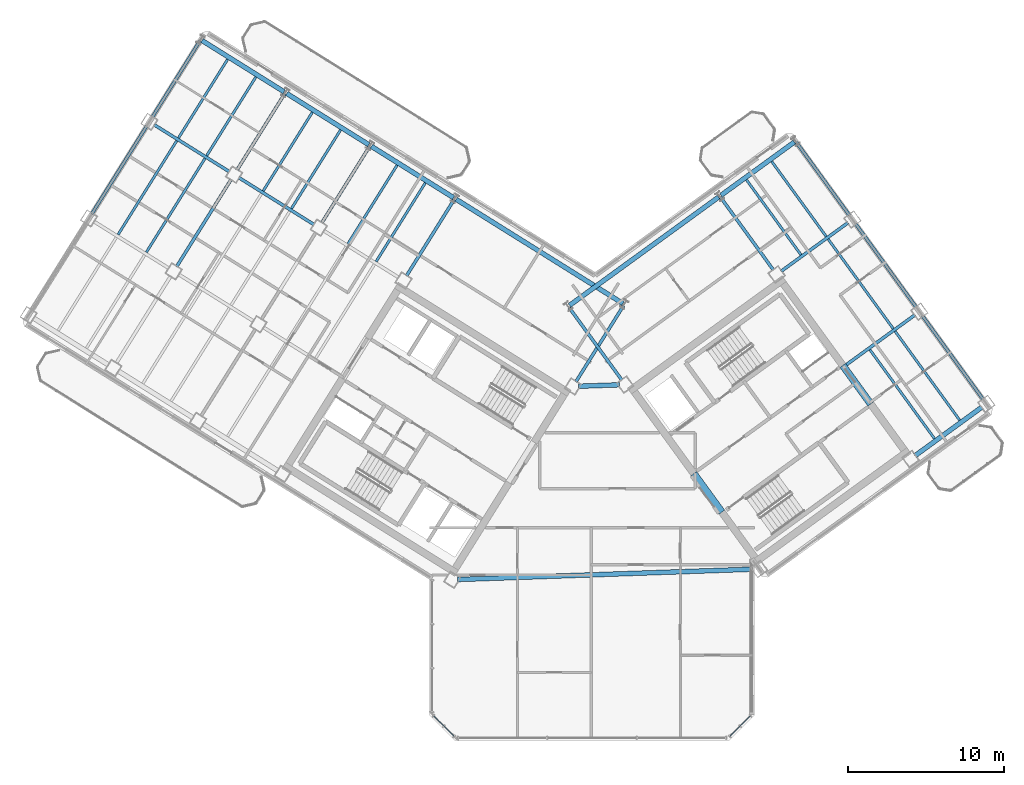
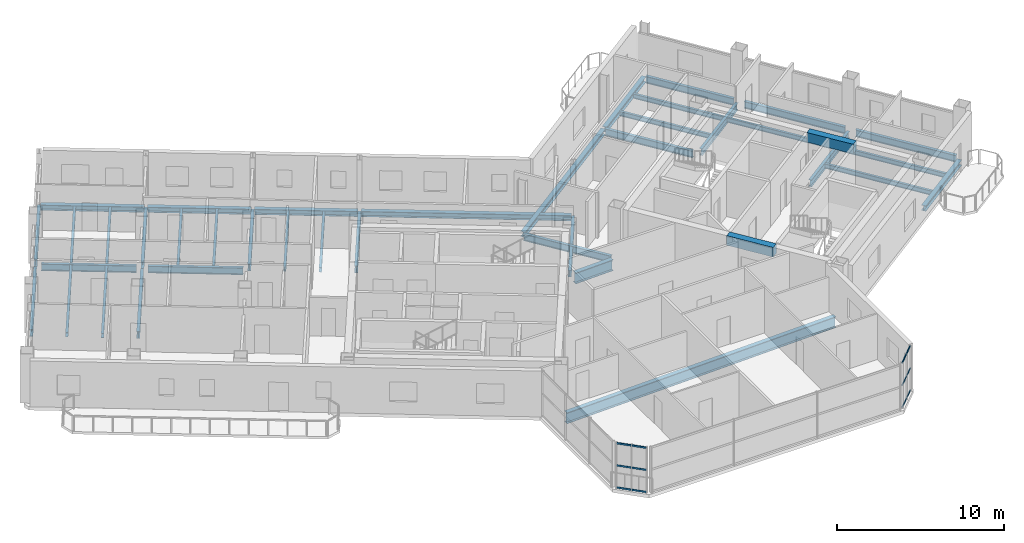
# One storey, part 7 of 21: 40 beams, 12 members, 2 elements without a shape of their own.
"""IFC4 building model written with IfcOpenShell, lengths in metres."""

from ifc_helpers import new_model, si_unit, direction, frame, origin, origin_2d, place, context, subcontext, project, spatial, rectangle, hollow_rectangle, i_section, extrude, source, transform, mapped, material, material_profile, profile_set, type_object, element, aggregate, save


model = new_model("IFC4")

# Units and contexts
model_context = context("Model", 3, precision=1e-05, world=origin(), true_north=direction((0.0, 1.0)))
body_context = subcontext(model_context, "Body", "Model", "MODEL_VIEW")
ifc_project = project(units=[si_unit("LENGTHUNIT", "METRE"), si_unit("AREAUNIT", "SQUARE_METRE"), si_unit("VOLUMEUNIT", "CUBIC_METRE"), si_unit("PLANEANGLEUNIT", "RADIAN"), si_unit("MASSUNIT", "GRAM", prefix="KILO")], contexts=[model_context])

# Site, building, storey
site_placement = place(None, origin())
site = spatial("IfcSite", under=ifc_project, at=site_placement, CompositionType="ELEMENT")
building_placement = place(site_placement, origin())
building = spatial("IfcBuilding", under=site, at=building_placement, Name="Tlacorven Tower", CompositionType="ELEMENT")
storey_placement = place(building_placement, frame((0.0, 0.0, 222.0)))
storey = spatial("IfcBuildingStorey", under=building, at=storey_placement, Name="L56", CompositionType="ELEMENT", Elevation=222.0)

# Beams
ifc_material_1 = material(Name="Concrete C60/75", Category="concrete")
ifc_material_profile_1 = material_profile(ifc_material_1, rectangle(XDim=0.449951171875, YDim=0.699951171875, at=origin_2d()), Name="RC 450X700")
ifc_profile_set_1 = profile_set([ifc_material_profile_1], Name="Concrete C60/75")
beam_type_1 = type_object("IfcBeamType", Name="BM-LNT-700", PredefinedType="LINTEL", material=ifc_profile_set_1)
shared_shape_1 = source(origin(), body_context, "Body", "SweptSolid", [
    extrude(rectangle(XDim=0.449951171875, YDim=0.699951171875, at=origin_2d()), origin(), (0.0, 0.0, 1.0), 3.050048828125),
])
for number, where, z_axis, x_axis, name in (
    (1, (50.318359375, 16.416015625, 3.0), (-0.587776590479, 0.80902328748, 0.0), (-0.80902328748, -0.587776590479, 0.0), "L56 E core coupling lintel beam E1"),
    (2, (59.856689453125, 23.345947265625, 3.0), (-0.587776590479, 0.80902328748, 0.0), (-0.80902328748, -0.587776590479, 0.0), "L56 E core coupling lintel beam E2"),
):
    element("IfcBeam", number, at=place(storey_placement, frame(where, z_axis=z_axis, x_axis=x_axis)), inside=storey, type_object=beam_type_1, Name=name, PredefinedType="LINTEL", context=body_context, shape_type="MappedRepresentation", body=[
        mapped(shared_shape_1, transform((0.0, 0.0, 0.0), scale=1.0)),
    ])
ifc_material_2 = material(Name="Steel S355J2", Category="steel")
ifc_material_profile_2 = material_profile(ifc_material_2, i_section(OverallWidth=0.300048828125, OverallDepth=0.800048828125, WebThickness=0.017578125, FlangeThickness=0.032958984375, at=origin_2d()), Name="HEB 800")
ifc_profile_set_2 = profile_set([ifc_material_profile_2], Name="Steel S355J2")
beam_type_2 = type_object("IfcBeamType", Name="BM-POD-800", PredefinedType="BEAM", material=ifc_profile_set_2)
shared_shape_2 = source(origin(), body_context, "Body", "SweptSolid", [
    extrude(i_section(OverallWidth=0.300048828125, OverallDepth=0.800048828125, WebThickness=0.017578125, FlangeThickness=0.032958984375, at=origin_2d()), origin(), (0.0, 0.0, 1.0), 2.642822265625),
])
beam_1_placement = place(storey_placement, frame((41.1328125, 24.480712890625, -0.64990234375), z_axis=(0.999393314814, 0.034828182629, 0.0), x_axis=(-0.034828182629, 0.999393314814, 0.0)))
element("IfcBeam", 3, at=beam_1_placement, inside=storey, type_object=beam_type_2, Name="L56 Knuckle Link Girder 1", PredefinedType="BEAM", context=body_context, shape_type="MappedRepresentation", body=[
    mapped(shared_shape_2, transform((0.0, 0.0, 0.0), scale=1.0)),
])
ifc_material_profile_3 = material_profile(ifc_material_2, i_section(OverallWidth=0.199951171875, OverallDepth=0.5, WebThickness=0.01025390625, FlangeThickness=0.01611328125, at=origin_2d()), Name="IPE 500")
ifc_profile_set_3 = profile_set([ifc_material_profile_3], Name="Steel S355J2")
beam_type_3 = type_object("IfcBeamType", Name="BM-TWR-500", PredefinedType="BEAM", material=ifc_profile_set_3)
shared_shape_3 = source(origin(), body_context, "Body", "SweptSolid", [
    extrude(i_section(OverallWidth=0.199951171875, OverallDepth=0.5, WebThickness=0.01025390625, FlangeThickness=0.01611328125, at=origin_2d()), origin(), (0.0, 0.0, 1.0), 5.7001953125),
])
for number, where, z_axis, x_axis, name in (
    (4, (24.20361328125, 34.828369140625, -0.5), (-0.848056048787, 0.529906537151, 0.0), (-0.529906537151, -0.848056048787, 0.0), "L56 beam BM-L56-WL2-4"),
    (5, (18.776123046875, 38.2197265625, -0.5), (-0.848056048787, 0.529906537151, 0.0), (-0.529906537151, -0.848056048787, 0.0), "L56 beam BM-L56-WL2-5"),
):
    element("IfcBeam", number, at=place(storey_placement, frame(where, z_axis=z_axis, x_axis=x_axis)), inside=storey, type_object=beam_type_3, Name=name, PredefinedType="BEAM", context=body_context, shape_type="MappedRepresentation", body=[
        mapped(shared_shape_3, transform((0.0, 0.0, 0.0), scale=1.0)),
    ])
shared_shape_4 = source(origin(), body_context, "Body", "SweptSolid", [
    extrude(i_section(OverallWidth=0.199951171875, OverallDepth=0.5, WebThickness=0.01025390625, FlangeThickness=0.01611328125, at=origin_2d()), origin(), (0.0, 0.0, 1.0), 5.75),
])
for number, where, z_axis, x_axis, name in (
    (6, (44.015380859375, 29.6416015625, -0.5), (-0.529884439831, -0.848069855864, 0.0), (0.848069855864, -0.529884439831, 0.0), "L56 beam BM-L56-WT1-1"),
    (7, (33.160400390625, 36.424560546875, -0.5), (-0.529884439831, -0.848069855864, 0.0), (0.848069855864, -0.529884439831, 0.0), "L56 beam BM-L56-WT3-1"),
    (8, (27.73291015625, 39.81591796875, -0.5), (-0.529934056882, -0.848038852504, 0.0), (0.848038852504, -0.529934056882, 0.0), "L56 beam BM-L56-WT4-1"),
    (9, (16.8779296875, 46.598876953125, -0.5), (-0.529934056882, -0.848038852504, 0.0), (0.848038852504, -0.529934056882, 0.0), "L56 beam BM-L56-WT6-1"),
    (10, (43.91796875, 24.8681640625, -0.5), (-0.587770208527, 0.809027924097, 0.0), (-0.809027924097, -0.587770208527, 0.0), "L56 beam BM-L56-ET1-2"),
    (11, (53.626220703125, 31.921630859375, -0.5), (-0.587770208527, 0.809027924097, 0.0), (-0.809027924097, -0.587770208527, 0.0), "L56 beam BM-L56-ET3-2"),
    (12, (58.480224609375, 35.4482421875, -0.5), (-0.587770208527, 0.809027924097, 0.0), (-0.809027924097, -0.587770208527, 0.0), "L56 beam BM-L56-ET4-3"),
):
    element("IfcBeam", number, at=place(storey_placement, frame(where, z_axis=z_axis, x_axis=x_axis)), inside=storey, type_object=beam_type_3, Name=name, PredefinedType="BEAM", context=body_context, shape_type="MappedRepresentation", body=[
        mapped(shared_shape_4, transform((0.0, 0.0, 0.0), scale=1.0)),
    ])
shared_shape_5 = source(origin(), body_context, "Body", "SweptSolid", [
    extrude(i_section(OverallWidth=0.199951171875, OverallDepth=0.5, WebThickness=0.01025390625, FlangeThickness=0.01611328125, at=origin_2d()), origin(), (0.0, 0.0, 1.0), 6.599853515625),
])
beam_2_placement = place(storey_placement, frame((13.4599609375, 41.12890625, -0.5), z_axis=(-0.529942412256, -0.848033631227, 0.0), x_axis=(0.848033631227, -0.529942412256, 0.0)))
element("IfcBeam", 13, at=beam_2_placement, inside=storey, type_object=beam_type_3, Name="L56 beam BM-L56-WT6-2", PredefinedType="BEAM", context=body_context, shape_type="MappedRepresentation", body=[
    mapped(shared_shape_5, transform((0.0, 0.0, 0.0), scale=1.0)),
])
shared_shape_6 = source(origin(), body_context, "Body", "SweptSolid", [
    extrude(i_section(OverallWidth=0.199951171875, OverallDepth=0.5, WebThickness=0.01025390625, FlangeThickness=0.01611328125, at=origin_2d()), origin(), (0.0, 0.0, 1.0), 6.60009765625),
])
for number, where, z_axis, x_axis, name in (
    (14, (18.887451171875, 37.737548828125, -0.5), (-0.529925788294, -0.848044019436, 0.0), (0.848044019436, -0.529925788294, 0.0), "L56 beam BM-L56-WT5-2"),
    (15, (67.06201171875, 23.63671875, -0.5), (-0.587780128583, 0.809020716943, 0.0), (-0.809020716943, -0.587780128583, 0.0), "L56 beam BM-L56-ET4-1"),
    (16, (62.771240234375, 29.54248046875, -0.5), (-0.587780128583, 0.809020716943, 0.0), (-0.809020716943, -0.587780128583, 0.0), "L56 beam BM-L56-ET4-2"),
):
    element("IfcBeam", number, at=place(storey_placement, frame(where, z_axis=z_axis, x_axis=x_axis)), inside=storey, type_object=beam_type_3, Name=name, PredefinedType="BEAM", context=body_context, shape_type="MappedRepresentation", body=[
        mapped(shared_shape_6, transform((0.0, 0.0, 0.0), scale=1.0)),
    ])
shared_shape_7 = source(origin(), body_context, "Body", "SweptSolid", [
    extrude(i_section(OverallWidth=0.199951171875, OverallDepth=0.5, WebThickness=0.01025390625, FlangeThickness=0.01611328125, at=origin_2d()), origin(), (0.0, 0.0, 1.0), 5.750244140625),
])
beam_3_placement = place(storey_placement, frame((22.305419921875, 43.20751953125, -0.5), z_axis=(-0.529914976044, -0.848050775699, 0.0), x_axis=(0.848050775699, -0.529914976044, 0.0)))
element("IfcBeam", 17, at=beam_3_placement, inside=storey, type_object=beam_type_3, Name="L56 beam BM-L56-WT5-1", PredefinedType="BEAM", context=body_context, shape_type="MappedRepresentation", body=[
    mapped(shared_shape_7, transform((0.0, 0.0, 0.0), scale=1.0)),
])
shared_shape_8 = source(origin(), body_context, "Body", "SweptSolid", [
    extrude(i_section(OverallWidth=0.199951171875, OverallDepth=0.5, WebThickness=0.01025390625, FlangeThickness=0.01611328125, at=origin_2d()), origin(), (0.0, 0.0, 1.0), 5.300048828125),
])
beam_4_placement = place(storey_placement, frame((54.114990234375, 31.84423828125, -0.5), z_axis=(0.809022830186, 0.587777219904, 0.0), x_axis=(-0.587777219904, 0.809022830186, 0.0)))
element("IfcBeam", 18, at=beam_4_placement, inside=storey, type_object=beam_type_3, Name="L56 beam BM-L56-EL3-3", PredefinedType="BEAM", context=body_context, shape_type="MappedRepresentation", body=[
    mapped(shared_shape_8, transform((0.0, 0.0, 0.0), scale=1.0)),
])
shared_shape_9 = source(origin(), body_context, "Body", "SweptSolid", [
    extrude(i_section(OverallWidth=0.199951171875, OverallDepth=0.5, WebThickness=0.01025390625, FlangeThickness=0.01611328125, at=origin_2d()), origin(), (0.0, 0.0, 1.0), 5.6103515625),
])
beam_5_placement = place(storey_placement, frame((58.155029296875, 25.756103515625, -0.5), z_axis=(0.809020142627, 0.587780919071, 0.0), x_axis=(-0.587780919071, 0.809020142627, 0.0)))
element("IfcBeam", 19, at=beam_5_placement, inside=storey, type_object=beam_type_3, Name="L56 beam BM-L56-EL2-3", PredefinedType="BEAM", context=body_context, shape_type="MappedRepresentation", body=[
    mapped(shared_shape_9, transform((0.0, 0.0, 0.0), scale=1.0)),
])
shared_shape_10 = source(origin(), body_context, "Body", "SweptSolid", [
    extrude(i_section(OverallWidth=0.300048828125, OverallDepth=0.800048828125, WebThickness=0.017578125, FlangeThickness=0.032958984375, at=origin_2d()), origin(), (0.0, 0.0, 1.0), 18.97119140625),
])
beam_6_placement = place(storey_placement, frame((33.39599609375, 12.09912109375, -0.64990234375), z_axis=(0.999390787537, 0.034900627304, 0.0), x_axis=(-0.034900627304, 0.999390787537, 0.0)))
element("IfcBeam", 20, at=beam_6_placement, inside=storey, type_object=beam_type_2, Name="L56 Knuckle Link Girder 2", PredefinedType="BEAM", context=body_context, shape_type="MappedRepresentation", body=[
    mapped(shared_shape_10, transform((0.0, 0.0, 0.0), scale=1.0)),
])
ifc_material_profile_4 = material_profile(ifc_material_2, i_section(OverallWidth=0.159912109375, OverallDepth=0.330078125, WebThickness=0.007568359375, FlangeThickness=0.011474609375, at=origin_2d()), Name="IPE 330")
ifc_profile_set_4 = profile_set([ifc_material_profile_4], Name="Steel S355J2")
beam_type_4 = type_object("IfcBeamType", Name="BM-JST-330", PredefinedType="JOIST", material=ifc_profile_set_4)
shared_shape_11 = source(origin(), body_context, "Body", "SweptSolid", [
    extrude(i_section(OverallWidth=0.159912109375, OverallDepth=0.330078125, WebThickness=0.007568359375, FlangeThickness=0.011474609375, at=origin_2d()), origin(), (0.0, 0.0, 1.0), 7.0400390625),
])
beam_7_placement = place(storey_placement, frame((63.9404296875, 21.127685546875, -0.4150390625), z_axis=(-0.587773661987, 0.809025415098, 0.0), x_axis=(-0.809025415098, -0.587773661987, 0.0)))
element("IfcBeam", 21, at=beam_7_placement, inside=storey, type_object=beam_type_4, Name="L56 beam BM-L56-EJ3-1-1", PredefinedType="JOIST", context=body_context, shape_type="MappedRepresentation", body=[
    mapped(shared_shape_11, transform((0.0, 0.0, 0.0), scale=1.0)),
])
shared_shape_12 = source(origin(), body_context, "Body", "SweptSolid", [
    extrude(i_section(OverallWidth=0.159912109375, OverallDepth=0.330078125, WebThickness=0.007568359375, FlangeThickness=0.011474609375, at=origin_2d()), origin(), (0.0, 0.0, 1.0), 5.940185546875),
])
for number, where, z_axis, x_axis, name in (
    (22, (29.512939453125, 38.638916015625, -0.4150390625), (-0.529902882565, -0.848058332339, 0.0), (0.848058332339, -0.529902882565, 0.0), "L56 beam BM-L56-WJ3-1-2"),
    (23, (25.894775390625, 40.899658203125, -0.4150390625), (-0.529950911506, -0.848028319924, 0.0), (0.848028319924, -0.529950911506, 0.0), "L56 beam BM-L56-WJ4-1-1"),
    (24, (18.657958984375, 45.421875, -0.4150390625), (-0.529902882565, -0.848058332339, 0.0), (0.848058332339, -0.529902882565, 0.0), "L56 beam BM-L56-WJ5-1-2"),
    (25, (55.38818359375, 32.89892578125, -0.4150390625), (-0.587778174144, 0.809022136903, 0.0), (-0.809022136903, -0.587778174144, 0.0), "L56 beam BM-L56-EJ3-3-1"),
    (26, (57.00634765625, 34.074462890625, -0.4150390625), (-0.587778174144, 0.809022136903, 0.0), (-0.809022136903, -0.587778174144, 0.0), "L56 beam BM-L56-EJ3-3-2"),
):
    element("IfcBeam", number, at=place(storey_placement, frame(where, z_axis=z_axis, x_axis=x_axis)), inside=storey, type_object=beam_type_4, Name=name, PredefinedType="JOIST", context=body_context, shape_type="MappedRepresentation", body=[
        mapped(shared_shape_12, transform((0.0, 0.0, 0.0), scale=1.0)),
    ])
shared_shape_13 = source(origin(), body_context, "Body", "SweptSolid", [
    extrude(i_section(OverallWidth=0.159912109375, OverallDepth=0.330078125, WebThickness=0.007568359375, FlangeThickness=0.011474609375, at=origin_2d()), origin(), (0.0, 0.0, 1.0), 7.090087890625),
])
for number, where, z_axis, x_axis, name in (
    (27, (17.208251953125, 39.07568359375, -0.4150390625), (-0.529937035031, -0.848036991471, 0.0), (0.848036991471, -0.529937035031, 0.0), "L56 beam BM-L56-WJ5-2-1"),
    (28, (15.39892578125, 40.206298828125, -0.4150390625), (-0.529912270669, -0.84805246618, 0.0), (0.84805246618, -0.529912270669, 0.0), "L56 beam BM-L56-WJ5-2-2"),
    (29, (61.297119140625, 28.168701171875, -0.4150390625), (-0.587782622309, 0.809018905164, 0.0), (-0.809018905164, -0.587782622309, 0.0), "L56 beam BM-L56-EJ3-2-2"),
):
    element("IfcBeam", number, at=place(storey_placement, frame(where, z_axis=z_axis, x_axis=x_axis)), inside=storey, type_object=beam_type_4, Name=name, PredefinedType="JOIST", context=body_context, shape_type="MappedRepresentation", body=[
        mapped(shared_shape_13, transform((0.0, 0.0, 0.0), scale=1.0)),
    ])
shared_shape_14 = source(origin(), body_context, "Body", "SweptSolid", [
    extrude(i_section(OverallWidth=0.159912109375, OverallDepth=0.330078125, WebThickness=0.007568359375, FlangeThickness=0.011474609375, at=origin_2d()), origin(), (0.0, 0.0, 1.0), 5.93994140625),
])
for number, where, z_axis, x_axis, name in (
    (30, (31.322265625, 37.50830078125, -0.4150390625), (-0.529921352973, -0.848046790963, 0.0), (0.848046790963, -0.529921352973, 0.0), "L56 beam BM-L56-WJ3-1-1"),
    (31, (24.08544921875, 42.0302734375, -0.4150390625), (-0.529921352973, -0.848046790963, 0.0), (0.848046790963, -0.529921352973, 0.0), "L56 beam BM-L56-WJ4-1-2"),
    (32, (20.467041015625, 44.291259765625, -0.4150390625), (-0.529921352973, -0.848046790963, 0.0), (0.848046790963, -0.529921352973, 0.0), "L56 beam BM-L56-WJ5-1-1"),
):
    element("IfcBeam", number, at=place(storey_placement, frame(where, z_axis=z_axis, x_axis=x_axis)), inside=storey, type_object=beam_type_4, Name=name, PredefinedType="JOIST", context=body_context, shape_type="MappedRepresentation", body=[
        mapped(shared_shape_14, transform((0.0, 0.0, 0.0), scale=1.0)),
    ])
shared_shape_15 = source(origin(), body_context, "Body", "SweptSolid", [
    extrude(i_section(OverallWidth=0.159912109375, OverallDepth=0.330078125, WebThickness=0.007568359375, FlangeThickness=0.011474609375, at=origin_2d()), origin(), (0.0, 0.0, 1.0), 7.039794921875),
])
beam_8_placement = place(storey_placement, frame((65.55859375, 22.303466796875, -0.4150390625), z_axis=(-0.587790152999, 0.809013433781, 0.0), x_axis=(-0.809013433781, -0.587790152999, 0.0)))
element("IfcBeam", 33, at=beam_8_placement, inside=storey, type_object=beam_type_4, Name="L56 beam BM-L56-EJ3-1-2", PredefinedType="JOIST", context=body_context, shape_type="MappedRepresentation", body=[
    mapped(shared_shape_15, transform((0.0, 0.0, 0.0), scale=1.0)),
])
ifc_material_profile_5 = material_profile(ifc_material_2, i_section(OverallWidth=0.300048828125, OverallDepth=0.389892578125, WebThickness=0.010986328125, FlangeThickness=0.01904296875, at=origin_2d()), Name="HEA 400")
ifc_profile_set_5 = profile_set([ifc_material_profile_5], Name="Steel S355J2")
beam_type_5 = type_object("IfcBeamType", Name="BM-SPN-400", PredefinedType="SPANDREL", material=ifc_profile_set_5)
shared_shape_16 = source(origin(), body_context, "Body", "SweptSolid", [
    extrude(i_section(OverallWidth=0.300048828125, OverallDepth=0.389892578125, WebThickness=0.010986328125, FlangeThickness=0.01904296875, at=origin_2d()), origin(), (0.0, 0.0, 1.0), 12.599853515625),
])
beam_9_placement = place(storey_placement, frame((43.983642578125, 29.779296875, -0.445068359375), z_axis=(-0.848045108756, 0.529924045043, 0.0), x_axis=(-0.529924045043, -0.848045108756, 0.0)))
element("IfcBeam", 34, at=beam_9_placement, inside=storey, type_object=beam_type_5, Name="L56 beam BM-L56-WL1-1", PredefinedType="SPANDREL", context=body_context, shape_type="MappedRepresentation", body=[
    mapped(shared_shape_16, transform((0.0, 0.0, 0.0), scale=1.0)),
])
shared_shape_17 = source(origin(), body_context, "Body", "SweptSolid", [
    extrude(i_section(OverallWidth=0.300048828125, OverallDepth=0.389892578125, WebThickness=0.010986328125, FlangeThickness=0.01904296875, at=origin_2d()), origin(), (0.0, 0.0, 1.0), 6.199951171875),
])
beam_10_placement = place(storey_placement, frame((33.128662109375, 36.562255859375, -0.445068359375), z_axis=(-0.848051394107, 0.529913986372, 0.0), x_axis=(-0.529913986372, -0.848051394107, 0.0)))
element("IfcBeam", 35, at=beam_10_placement, inside=storey, type_object=beam_type_5, Name="L56 beam BM-L56-WL1-3", PredefinedType="SPANDREL", context=body_context, shape_type="MappedRepresentation", body=[
    mapped(shared_shape_17, transform((0.0, 0.0, 0.0), scale=1.0)),
])
shared_shape_18 = source(origin(), body_context, "Body", "SweptSolid", [
    extrude(i_section(OverallWidth=0.300048828125, OverallDepth=0.389892578125, WebThickness=0.010986328125, FlangeThickness=0.01904296875, at=origin_2d()), origin(), (0.0, 0.0, 1.0), 6.2001953125),
])
for number, where, z_axis, x_axis, name in (
    (36, (27.701171875, 39.95361328125, -0.445068359375), (-0.84804475579, 0.5299246099, 0.0), (-0.5299246099, -0.84804475579, 0.0), "L56 beam BM-L56-WL1-4"),
    (37, (22.273681640625, 43.34521484375, -0.445068359375), (-0.848062451332, 0.529896290457, 0.0), (-0.529896290457, -0.848062451332, 0.0), "L56 beam BM-L56-WL1-5"),
):
    element("IfcBeam", number, at=place(storey_placement, frame(where, z_axis=z_axis, x_axis=x_axis)), inside=storey, type_object=beam_type_5, Name=name, PredefinedType="SPANDREL", context=body_context, shape_type="MappedRepresentation", body=[
        mapped(shared_shape_18, transform((0.0, 0.0, 0.0), scale=1.0)),
    ])
shared_shape_19 = source(origin(), body_context, "Body", "SweptSolid", [
    extrude(i_section(OverallWidth=0.300048828125, OverallDepth=0.389892578125, WebThickness=0.010986328125, FlangeThickness=0.01904296875, at=origin_2d()), origin(), (0.0, 0.0, 1.0), 5.300048828125),
])
beam_11_placement = place(storey_placement, frame((62.69677734375, 20.032470703125, -0.445068359375), z_axis=(0.809022830186, 0.587777219904, 0.0), x_axis=(-0.587777219904, 0.809022830186, 0.0)))
element("IfcBeam", 38, at=beam_11_placement, inside=storey, type_object=beam_type_5, Name="L56 beam BM-L56-EL1-3", PredefinedType="SPANDREL", context=body_context, shape_type="MappedRepresentation", body=[
    mapped(shared_shape_19, transform((0.0, 0.0, 0.0), scale=1.0)),
])
shared_shape_20 = source(origin(), body_context, "Body", "SweptSolid", [
    extrude(i_section(OverallWidth=0.300048828125, OverallDepth=0.389892578125, WebThickness=0.010986328125, FlangeThickness=0.01904296875, at=origin_2d()), origin(), (0.0, 0.0, 1.0), 11.800048828125),
])
beam_12_placement = place(storey_placement, frame((40.560302734375, 29.65966796875, -0.445068359375), z_axis=(0.80900977213, 0.587795192732, 0.0), x_axis=(-0.587795192732, 0.80900977213, 0.0)))
element("IfcBeam", 39, at=beam_12_placement, inside=storey, type_object=beam_type_5, Name="L56 beam BM-L56-EL4-1", PredefinedType="SPANDREL", context=body_context, shape_type="MappedRepresentation", body=[
    mapped(shared_shape_20, transform((0.0, 0.0, 0.0), scale=1.0)),
])
shared_shape_21 = source(origin(), body_context, "Body", "SweptSolid", [
    extrude(i_section(OverallWidth=0.300048828125, OverallDepth=0.389892578125, WebThickness=0.010986328125, FlangeThickness=0.01904296875, at=origin_2d()), origin(), (0.0, 0.0, 1.0), 5.800048828125),
])
beam_13_placement = place(storey_placement, frame((50.2685546875, 36.713134765625, -0.445068359375), z_axis=(0.809019944521, 0.587781191743, 0.0), x_axis=(-0.587781191743, 0.809019944521, 0.0)))
element("IfcBeam", 40, at=beam_13_placement, inside=storey, type_object=beam_type_5, Name="L56 beam BM-L56-EL4-3", PredefinedType="SPANDREL", context=body_context, shape_type="MappedRepresentation", body=[
    mapped(shared_shape_21, transform((0.0, 0.0, 0.0), scale=1.0)),
])

# Curtain wall, members
ifc_material_3 = material(Name="Dark solar low-E double glazing in aluminium frame", Category="aluminium")
curtain_wall_type = type_object("IfcCurtainWallType", Name="CW-TWR-HIGH", PredefinedType="USERDEFINED", material=ifc_material_3)
curtain_wall_1_placement = place(storey_placement, origin())
curtain_wall_1 = element("IfcCurtainWall", 41, at=curtain_wall_1_placement, inside=storey, type_object=curtain_wall_type, Name="L56 CW-TWR-HIGH Curtain Wall 253", ObjectType="UNITISED CURTAIN WALL", PredefinedType="USERDEFINED")
ifc_material_4 = material(Name="Aluminium 6063-T6 anodised", Category="aluminium")
ifc_material_profile_6 = material_profile(ifc_material_4, hollow_rectangle(XDim=0.054931640625, YDim=0.1201171875, WallThickness=0.00341796875, at=origin_2d()), Name="ALU TRANSOM 55X120")
ifc_profile_set_6 = profile_set([ifc_material_profile_6], Name="Aluminium 6063-T6 anodised")
member_type = type_object("IfcMemberType", Name="CWT-03", PredefinedType="USERDEFINED", material=ifc_profile_set_6)
shared_shape_22 = source(origin(), body_context, "Body", "SweptSolid", [
    extrude(hollow_rectangle(XDim=0.054931640625, YDim=0.1201171875, WallThickness=0.00341796875, at=origin_2d()), origin(), (0.0, 0.0, 1.0), 0.899169921875),
])
member_1_placement = place(storey_placement, frame((52.13525390625, 3.361572265625, 0.06005859375), z_axis=(-0.707106781187, -0.707106781187, 0.0), x_axis=(0.707106781187, -0.707106781187, 0.0)))
member_1 = element("IfcMember", 42, at=member_1_placement, type_object=member_type, Name="CW-L56-253 Transom 1", ObjectType="TRANSOM", PredefinedType="USERDEFINED", context=body_context, shape_type="MappedRepresentation", body=[
    mapped(shared_shape_22, transform((0.0, 0.0, 0.0), scale=1.0)),
])
member_2_placement = place(storey_placement, frame((52.13525390625, 3.361572265625, 1.675048828125), z_axis=(-0.707106781187, -0.707106781187, 0.0), x_axis=(0.707106781187, -0.707106781187, 0.0)))
member_2 = element("IfcMember", 43, at=member_2_placement, type_object=member_type, Name="CW-L56-253 Transom 2", ObjectType="TRANSOM", PredefinedType="USERDEFINED", context=body_context, shape_type="MappedRepresentation", body=[
    mapped(shared_shape_22, transform((0.0, 0.0, 0.0), scale=1.0)),
])
member_3_placement = place(storey_placement, frame((52.13525390625, 3.361572265625, 3.2900390625), z_axis=(-0.707106781187, -0.707106781187, 0.0), x_axis=(0.707106781187, -0.707106781187, 0.0)))
member_3 = element("IfcMember", 44, at=member_3_placement, type_object=member_type, Name="CW-L56-253 Transom 3", ObjectType="TRANSOM", PredefinedType="USERDEFINED", context=body_context, shape_type="MappedRepresentation", body=[
    mapped(shared_shape_22, transform((0.0, 0.0, 0.0), scale=1.0)),
])
member_4_placement = place(storey_placement, frame((51.47412109375, 2.700439453125, 0.06005859375), z_axis=(-0.707106781187, -0.707106781187, 0.0), x_axis=(0.707106781187, -0.707106781187, 0.0)))
member_4 = element("IfcMember", 45, at=member_4_placement, type_object=member_type, Name="CW-L56-253 Transom 4", ObjectType="TRANSOM", PredefinedType="USERDEFINED", context=body_context, shape_type="MappedRepresentation", body=[
    mapped(shared_shape_22, transform((0.0, 0.0, 0.0), scale=1.0)),
])
member_5_placement = place(storey_placement, frame((51.47412109375, 2.700439453125, 1.675048828125), z_axis=(-0.707106781187, -0.707106781187, 0.0), x_axis=(0.707106781187, -0.707106781187, 0.0)))
member_5 = element("IfcMember", 46, at=member_5_placement, type_object=member_type, Name="CW-L56-253 Transom 5", ObjectType="TRANSOM", PredefinedType="USERDEFINED", context=body_context, shape_type="MappedRepresentation", body=[
    mapped(shared_shape_22, transform((0.0, 0.0, 0.0), scale=1.0)),
])
member_6_placement = place(storey_placement, frame((51.47412109375, 2.700439453125, 3.2900390625), z_axis=(-0.707106781187, -0.707106781187, 0.0), x_axis=(0.707106781187, -0.707106781187, 0.0)))
member_6 = element("IfcMember", 47, at=member_6_placement, type_object=member_type, Name="CW-L56-253 Transom 6", ObjectType="TRANSOM", PredefinedType="USERDEFINED", context=body_context, shape_type="MappedRepresentation", body=[
    mapped(shared_shape_22, transform((0.0, 0.0, 0.0), scale=1.0)),
])
aggregate(curtain_wall_1, [member_1, member_2, member_3, member_4, member_5, member_6])

curtain_wall_2_placement = place(storey_placement, origin())
curtain_wall_2 = element("IfcCurtainWall", 48, at=curtain_wall_2_placement, inside=storey, type_object=curtain_wall_type, Name="L56 CW-TWR-HIGH Curtain Wall 255", ObjectType="UNITISED CURTAIN WALL", PredefinedType="USERDEFINED")
member_7_placement = place(storey_placement, frame((33.16162109375, 2.064697265625, 0.06005859375), z_axis=(-0.707106781187, 0.707106781187, 0.0), x_axis=(-0.707106781187, -0.707106781187, 0.0)))
member_7 = element("IfcMember", 49, at=member_7_placement, type_object=member_type, Name="CW-L56-255 Transom 1", ObjectType="TRANSOM", PredefinedType="USERDEFINED", context=body_context, shape_type="MappedRepresentation", body=[
    mapped(shared_shape_22, transform((0.0, 0.0, 0.0), scale=1.0)),
])
member_8_placement = place(storey_placement, frame((33.16162109375, 2.064697265625, 1.675048828125), z_axis=(-0.707106781187, 0.707106781187, 0.0), x_axis=(-0.707106781187, -0.707106781187, 0.0)))
member_8 = element("IfcMember", 50, at=member_8_placement, type_object=member_type, Name="CW-L56-255 Transom 2", ObjectType="TRANSOM", PredefinedType="USERDEFINED", context=body_context, shape_type="MappedRepresentation", body=[
    mapped(shared_shape_22, transform((0.0, 0.0, 0.0), scale=1.0)),
])
member_9_placement = place(storey_placement, frame((33.16162109375, 2.064697265625, 3.2900390625), z_axis=(-0.707106781187, 0.707106781187, 0.0), x_axis=(-0.707106781187, -0.707106781187, 0.0)))
member_9 = element("IfcMember", 51, at=member_9_placement, type_object=member_type, Name="CW-L56-255 Transom 3", ObjectType="TRANSOM", PredefinedType="USERDEFINED", context=body_context, shape_type="MappedRepresentation", body=[
    mapped(shared_shape_22, transform((0.0, 0.0, 0.0), scale=1.0)),
])
member_10_placement = place(storey_placement, frame((32.50048828125, 2.725830078125, 0.06005859375), z_axis=(-0.707106781187, 0.707106781187, 0.0), x_axis=(-0.707106781187, -0.707106781187, 0.0)))
member_10 = element("IfcMember", 52, at=member_10_placement, type_object=member_type, Name="CW-L56-255 Transom 4", ObjectType="TRANSOM", PredefinedType="USERDEFINED", context=body_context, shape_type="MappedRepresentation", body=[
    mapped(shared_shape_22, transform((0.0, 0.0, 0.0), scale=1.0)),
])
member_11_placement = place(storey_placement, frame((32.50048828125, 2.725830078125, 1.675048828125), z_axis=(-0.707106781187, 0.707106781187, 0.0), x_axis=(-0.707106781187, -0.707106781187, 0.0)))
member_11 = element("IfcMember", 53, at=member_11_placement, type_object=member_type, Name="CW-L56-255 Transom 5", ObjectType="TRANSOM", PredefinedType="USERDEFINED", context=body_context, shape_type="MappedRepresentation", body=[
    mapped(shared_shape_22, transform((0.0, 0.0, 0.0), scale=1.0)),
])
member_12_placement = place(storey_placement, frame((32.50048828125, 2.725830078125, 3.2900390625), z_axis=(-0.707106781187, 0.707106781187, 0.0), x_axis=(-0.707106781187, -0.707106781187, 0.0)))
member_12 = element("IfcMember", 54, at=member_12_placement, type_object=member_type, Name="CW-L56-255 Transom 6", ObjectType="TRANSOM", PredefinedType="USERDEFINED", context=body_context, shape_type="MappedRepresentation", body=[
    mapped(shared_shape_22, transform((0.0, 0.0, 0.0), scale=1.0)),
])
aggregate(curtain_wall_2, [member_7, member_8, member_9, member_10, member_11, member_12])

save(model, "model.ifc")
